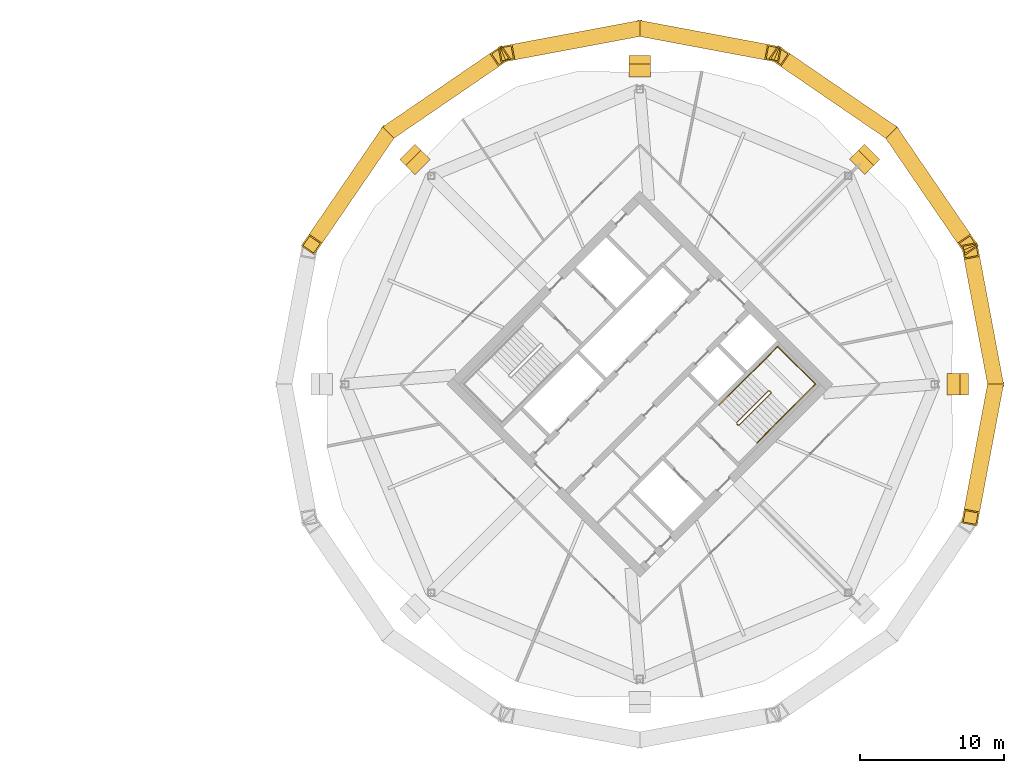
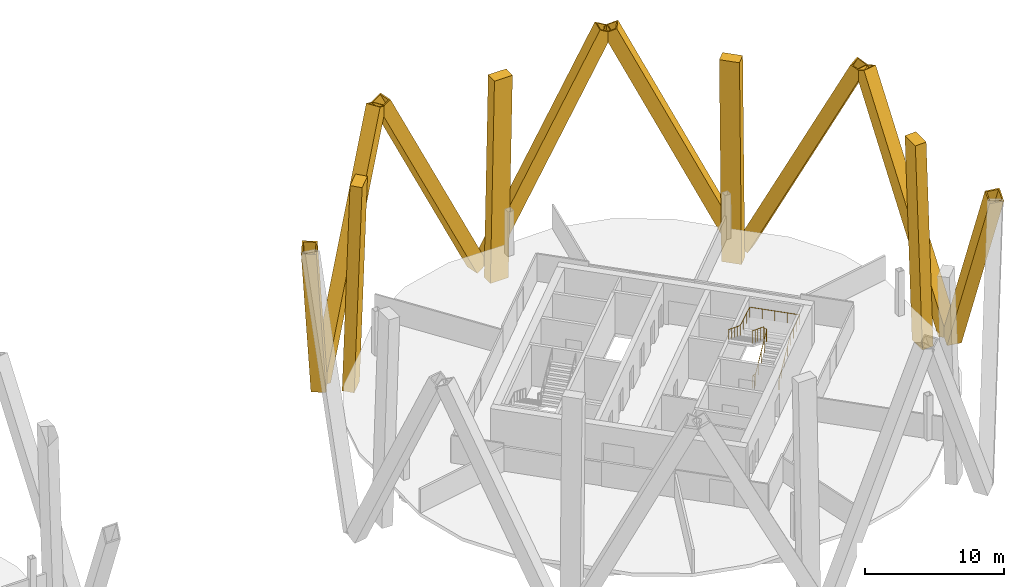
# One storey, part 10 of 10: 12 coverings, 2 railings.
"""IFC4 building model written with IfcOpenShell, lengths in metres."""

import ifcopenshell
import ifcopenshell.guid

model = None  # the IFC model being written
_history = None  # IfcOwnerHistory: only IFC2X3 demands one
_inside = {}  # id of a spatial element -> (the spatial element, [elements in it])
_under = {}  # id of a project, library or spatial element -> (it, [spatial elements below it])
_declared = {}  # id of a project -> (the project, [libraries it declares])
_typed = {}  # id of a type object -> (the type object, [elements of that type])
_made_of = {}  # id of a material, layer set ... -> (it, [elements and type objects made of it])


def new_model(schema):
    """Start an empty IFC model of exactly this schema.

    Asked for "IFC4X3", IfcOpenShell would pick the latest addendum, in which some entities
    have other attributes; the version numbers below select the first issue.
    IFC2X3 requires an IfcOwnerHistory on every rooted entity: one is made here for all.
    """
    global model, _history
    if schema == "IFC4X3":
        model = ifcopenshell.file(schema_version=(4, 3, 0, 0))
    else:
        model = ifcopenshell.file(schema=schema)
    _inside.clear()
    _under.clear()
    _declared.clear()
    _typed.clear()
    _made_of.clear()
    _history = None
    if model.schema == "IFC2X3":
        org = make("IfcOrganization", Name="unknown")
        user = make(
            "IfcPersonAndOrganization",
            ThePerson=make("IfcPerson", FamilyName="unknown"),
            TheOrganization=org,
        )
        app = make(
            "IfcApplication",
            ApplicationDeveloper=org,
            Version="unknown",
            ApplicationFullName="unknown",
            ApplicationIdentifier="unknown",
        )
        _history = make(
            "IfcOwnerHistory",
            OwningUser=user,
            OwningApplication=app,
            ChangeAction="ADDED",
            CreationDate=0,
        )
    return model


def make(cls, **values):
    """One entity of the class cls with the attributes given. An attribute that is None is left unset."""
    return model.create_entity(
        cls, **{name: value for name, value in values.items() if value is not None}
    )


def rooted(cls, **values):
    """An entity with a GlobalId (a new one), such as an element, a storey or a relation."""
    return make(cls, GlobalId=ifcopenshell.guid.new(), OwnerHistory=_history, **values)


def si_unit(unit_type, name, prefix=None):
    """IfcSIUnit, for example si_unit("LENGTHUNIT", "METRE", prefix="MILLI")."""
    return make("IfcSIUnit", UnitType=unit_type, Prefix=prefix, Name=name)


def assignment(units):
    """IfcUnitAssignment: the units of a project."""
    return None if units is None else make("IfcUnitAssignment", Units=units)


def point(xyz):
    """IfcCartesianPoint."""
    return None if xyz is None else make("IfcCartesianPoint", Coordinates=xyz)


def direction(xyz):
    """IfcDirection."""
    return None if xyz is None else make("IfcDirection", DirectionRatios=xyz)


def frame(location, z_axis=None, x_axis=None):
    """IfcAxis2Placement3D, a coordinate frame: its origin and axes. An axis left out is left unset."""
    return make(
        "IfcAxis2Placement3D",
        Location=point(location),
        Axis=direction(z_axis),
        RefDirection=direction(x_axis),
    )


def frame_2d(location, x_axis=None):
    """IfcAxis2Placement2D, a coordinate frame in the plane: its origin and x axis."""
    return make(
        "IfcAxis2Placement2D", Location=point(location), RefDirection=direction(x_axis)
    )


def origin():
    """The frame at (0, 0, 0) with its axes left unset."""
    return frame((0.0, 0.0, 0.0))


def origin_2d():
    """The frame at (0, 0) in the plane with its x axis left unset."""
    return frame_2d((0.0, 0.0))


def place(relative_to, where):
    """IfcLocalPlacement: puts the frame where relative to a parent placement (None: the world)."""
    return make(
        "IfcLocalPlacement", PlacementRelTo=relative_to, RelativePlacement=where
    )


def context(
    kind, dimensions, precision=None, world=None, true_north=None, identifier=None
):
    """IfcGeometricRepresentationContext, for example the 3D "Model" context."""
    return make(
        "IfcGeometricRepresentationContext",
        ContextIdentifier=identifier,
        ContextType=kind,
        CoordinateSpaceDimension=dimensions,
        Precision=precision,
        WorldCoordinateSystem=world,
        TrueNorth=true_north,
    )


def subcontext(parent, identifier, kind, view, scale=None):
    """IfcGeometricRepresentationSubContext, for example "Body" below "Model"."""
    return make(
        "IfcGeometricRepresentationSubContext",
        ContextIdentifier=identifier,
        ContextType=kind,
        ParentContext=parent,
        TargetScale=scale,
        TargetView=view,
    )


def project(units=None, contexts=None):
    """IfcProject with its units and contexts."""
    return rooted(
        "IfcProject",
        Name="project",
        RepresentationContexts=contexts,
        UnitsInContext=assignment(units),
    )


def spatial(cls, under=None, at=None, **own):
    """A site, building, storey or space (cls), placed at a placement, below another one or the project."""
    s = rooted(cls, ObjectPlacement=at, **own)
    if under is not None:
        _under.setdefault(under.id(), (under, []))[1].append(s)
    return s


def profile(cls, at=None, kind="AREA", **sizes):
    """A parametric profile (cls). Its sizes go by their IFC names, for example OverallWidth=200.0."""
    return make(cls, ProfileType=kind, Position=at, **sizes)


def rectangle(**sizes):
    """IfcRectangleProfileDef."""
    return profile("IfcRectangleProfileDef", **sizes)


def hollow_rectangle(**sizes):
    """IfcRectangleHollowProfileDef."""
    return profile("IfcRectangleHollowProfileDef", **sizes)


def circle(**sizes):
    """IfcCircleProfileDef."""
    return profile("IfcCircleProfileDef", **sizes)


def extrude(swept, where, along, depth):
    """IfcExtrudedAreaSolid: the profile swept, set in the frame where, extruded along a direction by depth."""
    return make(
        "IfcExtrudedAreaSolid",
        SweptArea=swept,
        Position=where,
        ExtrudedDirection=direction(along),
        Depth=depth,
    )


def shape(context_of_items, identifier, shape_type, items):
    """IfcShapeRepresentation: the items that make up one representation, for example the "Body"."""
    return make(
        "IfcShapeRepresentation",
        ContextOfItems=context_of_items,
        RepresentationIdentifier=identifier,
        RepresentationType=shape_type,
        Items=items,
    )


def material(Name=None, Category=None):
    """IfcMaterial."""
    return make("IfcMaterial", Name=Name, Category=Category)


def material_profile(
    of_material, cross_section, Name=None, Category=None, Priority=None
):
    """IfcMaterialProfile: a cross section and its material."""
    return make(
        "IfcMaterialProfile",
        Name=Name,
        Material=of_material,
        Profile=cross_section,
        Priority=Priority,
        Category=Category,
    )


def profile_set(profiles, Name=None, composite=None):
    """IfcMaterialProfileSet."""
    return make(
        "IfcMaterialProfileSet",
        Name=Name,
        MaterialProfiles=profiles,
        CompositeProfile=composite,
    )


def made_of(thing, what):
    """Note that an element or type object is made of a material, layer set ...; save() writes the relation."""
    if what is not None:
        _made_of.setdefault(what.id(), (what, []))[1].append(thing)
    return thing


def type_object(cls, material=None, **own):
    """A type object (cls), such as IfcWallType, which elements share."""
    return made_of(rooted(cls, **own), material)


def element(
    cls,
    number,
    at=None,
    inside=None,
    cuts=None,
    type_object=None,
    material=None,
    context=None,
    identifier="Body",
    shape_type=None,
    held_by="IfcProductDefinitionShape",
    body=None,
    shapes=None,
    **own,
):
    """One element of the class cls, such as IfcWall. Its Tag is "e" and its number.

    at: its placement. inside: the storey or other place that contains it. cuts: it is an
    opening in that element (IfcRelVoidsElement). A single representation is given by context,
    identifier, shape_type and body (its items); several are given by shapes. held_by: the class
    of the entity that holds the representations. save() writes the other relations.
    """
    e = rooted(cls, Tag="e%d" % number, ObjectPlacement=at, **own)
    if body is not None:
        shapes = [shape(context, identifier, shape_type, body)]
    if shapes is not None:
        e.Representation = make(held_by, Representations=shapes)
    if inside is not None:
        _inside.setdefault(inside.id(), (inside, []))[1].append(e)
    if cuts is not None:
        rooted(
            "IfcRelVoidsElement", RelatingBuildingElement=cuts, RelatedOpeningElement=e
        )
    if type_object is not None:
        _typed.setdefault(type_object.id(), (type_object, []))[1].append(e)
    return made_of(e, material)


def aggregate(whole, parts):
    """IfcRelAggregates: a whole, such as a stair, and the parts it consists of."""
    return rooted("IfcRelAggregates", RelatingObject=whole, RelatedObjects=parts)


def save(model, path):
    """Write the relations noted so far, then the file.

    IfcRelAggregates (storeys below a building ...), IfcRelContainedInSpatialStructure (elements
    in a storey), IfcRelDefinesByType, IfcRelAssociatesMaterial and IfcRelDeclares: one each for
    every whole, place, type object, material and project.
    """
    for whole, parts in _under.values():
        aggregate(whole, parts)
    for where, things in _inside.values():
        rooted(
            "IfcRelContainedInSpatialStructure",
            RelatedElements=things,
            RelatingStructure=where,
        )
    for kind, things in _typed.values():
        rooted("IfcRelDefinesByType", RelatedObjects=things, RelatingType=kind)
    for what, things in _made_of.values():
        rooted("IfcRelAssociatesMaterial", RelatedObjects=things, RelatingMaterial=what)
    for by, libraries in _declared.values():
        rooted("IfcRelDeclares", RelatingContext=by, RelatedDefinitions=libraries)
    model.write(path)


model = new_model("IFC4")

# Units and contexts
model_context = context("Model", 3, precision=1e-05, world=origin(), true_north=direction((0.0, 1.0)))
body_context = subcontext(model_context, "Body", "Model", "MODEL_VIEW")
ifc_project = project(units=[si_unit("LENGTHUNIT", "METRE"), si_unit("AREAUNIT", "SQUARE_METRE"), si_unit("VOLUMEUNIT", "CUBIC_METRE"), si_unit("PLANEANGLEUNIT", "RADIAN"), si_unit("MASSUNIT", "GRAM", prefix="KILO")], contexts=[model_context])

# Site, building, storey
site_placement = place(None, origin())
site = spatial("IfcSite", under=ifc_project, at=site_placement, CompositionType="ELEMENT")
building_placement = place(site_placement, origin())
building = spatial("IfcBuilding", under=site, at=building_placement, Name="Ogive Gate Towers", CompositionType="ELEMENT")
storey_placement = place(building_placement, frame((0.0, 0.0, 185.10009765625)))
storey = spatial("IfcBuildingStorey", under=building, at=storey_placement, Name="L44", CompositionType="ELEMENT", Elevation=185.10009765625)

# Coverings
ifc_material_1 = material(Name="Pale metal aluminium", Category="aluminium")
ifc_material_profile_1 = material_profile(ifc_material_1, rectangle(XDim=1.5, YDim=0.89990234375, at=origin_2d()), Name="1500 x 900 pale metal aluminium")
ifc_profile_set_1 = profile_set([ifc_material_profile_1], Name="Pale metal aluminium")
covering_type_1 = type_object("IfcCoveringType", Name="Crease colonnette 1500 x 900", PredefinedType="CLADDING", material=ifc_profile_set_1)
for number, where, z_axis, x_axis, name in (
    (1, (58.419921875, 0.0, -3.2001953125), (-0.032570586763, 0.0, 0.999469437691), (0.0, -1.0, 0.0), "Crease colonnette"),
    (2, (51.853271484375, 15.853271484375, -3.2001953125), (-0.023025900237, -0.023025900237, 0.999469667292), (0.707106781187, -0.707106781187, 0.0), "Crease colonnette"),
    (3, (36.0, 22.419921875, -3.2001953125), (0.0, -0.032570586763, 0.999469437691), (1.0, 0.0, 0.0), "Crease colonnette"),
    (4, (20.146728515625, 15.853271484375, -3.2001953125), (0.023025900237, -0.023025900237, 0.999469667292), (0.707106781187, 0.707106781187, 0.0), "Crease colonnette"),
):
    element("IfcCovering", number, at=place(storey_placement, frame(where, z_axis=z_axis, x_axis=x_axis)), inside=storey, type_object=covering_type_1, Name=name, PredefinedType="CLADDING", context=body_context, shape_type="SweptSolid", body=[
        extrude(rectangle(XDim=1.5, YDim=0.89990234375, at=origin_2d()), origin(), (0.0, 0.0, 1.0), 18.109619140625),
    ])
ifc_material_2 = material(Name="Pale metal aluminium cladding", Category="aluminium")
ifc_material_profile_2 = material_profile(ifc_material_2, hollow_rectangle(XDim=1.10009765625, YDim=1.10009765625, WallThickness=0.10009765625, at=origin_2d()), Name="1100 x 1100 pale metal casing")
ifc_profile_set_2 = profile_set([ifc_material_profile_2], Name="Pale metal aluminium cladding")
covering_type_2 = type_object("IfcCoveringType", Name="Diagrid casing 1100 x 1100", PredefinedType="CLADDING", material=ifc_profile_set_2)
for number, where, z_axis, x_axis, name in (
    (5, (60.715087890625, -0.240478515625, -3.407470703125), (-0.081904521526, -0.43713511972, 0.89565871651), (0.982895928341, -0.184161869155, 0.0), "Diagrid casing"),
    (6, (60.715087890625, 0.240478515625, -3.407470703125), (-0.081904521526, 0.43713511972, 0.89565871651), (-0.982895928341, -0.184161869155, 0.0), "Diagrid casing"),
    (7, (53.646240234375, 17.30615234375, -3.407470703125), (0.251181928644, -0.367017566981, 0.895659390756), (0.825239513669, 0.564782918545, 0.0), "Diagrid casing"),
    (8, (53.30615234375, 17.646240234375, -3.407470703125), (-0.367017566981, 0.251181928644, 0.895659390756), (-0.564782918545, -0.825239513669, 0.0), "Diagrid casing"),
    (9, (36.240478515625, 24.715087890625, -3.407470703125), (0.43713511972, -0.081904521526, 0.89565871651), (0.184161869155, 0.982895928341, 0.0), "Diagrid casing"),
    (10, (35.759521484375, 24.715087890625, -3.407470703125), (-0.43713511972, -0.081904521526, 0.89565871651), (0.184161869155, -0.982895928341, 0.0), "Diagrid casing"),
    (11, (18.69384765625, 17.646240234375, -3.407470703125), (0.367017566981, 0.251181928644, 0.895659390756), (-0.564782918545, 0.825239513669, 0.0), "Diagrid casing"),
    (12, (18.353759765625, 17.30615234375, -3.407470703125), (-0.251181928644, -0.367017566981, 0.895659390756), (0.825239513669, -0.564782918545, 0.0), "Diagrid casing"),
):
    element("IfcCovering", number, at=place(storey_placement, frame(where, z_axis=z_axis, x_axis=x_axis)), inside=storey, type_object=covering_type_2, Name=name, PredefinedType="CLADDING", context=body_context, shape_type="SweptSolid", body=[
        extrude(hollow_rectangle(XDim=1.10009765625, YDim=1.10009765625, WallThickness=0.10009765625, at=origin_2d()), origin(), (0.0, 0.0, 1.0), 20.671875),
    ])

# Railings
ifc_material_3 = material(Name="Stainless steel", Category="steel")
railing_type_1 = type_object("IfcRailingType", Name="Stair guard 1100", PredefinedType="GUARDRAIL", material=ifc_material_3)
railing_1_placement = place(storey_placement, frame((42.84130859375, -2.8603515625, 0.0)))
element("IfcRailing", 13, at=railing_1_placement, inside=storey, type_object=railing_type_1, Name="L44 ST2 stair guard 1", PredefinedType="GUARDRAIL", context=body_context, shape_type="SweptSolid", body=[
    extrude(circle(Radius=0.02392578125, at=origin_2d()), frame((0.0, 0.0, 1.076171875), z_axis=(-0.707106781187, 0.707106781187, 0.0), x_axis=(-0.707106781187, -0.707106781187, 0.0)), (0.0, 0.0, 1.0), 0.14501953125),
    extrude(circle(Radius=0.02392578125, at=origin_2d()), frame((-0.1025390625, 0.1025390625, 1.076171875), z_axis=(0.645571447971, -0.382425963537, 0.661050594114), x_axis=(0.509669330572, 0.860370369942, 0.0)), (0.0, 0.0, 1.0), 0.26806640625),
    extrude(circle(Radius=0.02392578125, at=origin_2d()), frame((0.070556640625, 0.0, 1.25341796875), z_axis=(0.61558473135, 0.61558473135, 0.49204763698), x_axis=(-0.707106781187, 0.707106781187, 0.0)), (0.0, 0.0, 1.0), 3.602783203125),
    extrude(circle(Radius=0.02392578125, at=origin_2d()), frame((2.288330078125, 2.2177734375, 3.02587890625), z_axis=(0.0, 1.0, 0.0), x_axis=(-1.0, 0.0, 0.0)), (0.0, 0.0, 1.0), 0.07080078125),
    extrude(circle(Radius=0.02392578125, at=origin_2d()), frame((2.288330078125, 2.28857421875, 3.02587890625), z_axis=(-0.707106781187, 0.707106781187, 0.0), x_axis=(-0.707106781187, -0.707106781187, 0.0)), (0.0, 0.0, 1.0), 0.14501953125),
    extrude(circle(Radius=0.02392578125, at=origin_2d()), frame((2.185791015625, 2.39111328125, 3.02587890625), z_axis=(-0.369845645421, 0.0, 0.929093213065), x_axis=(0.0, -1.0, 0.0)), (0.0, 0.0, 1.0), 0.190673828125),
    extrude(circle(Radius=0.02392578125, at=origin_2d()), frame((2.115234375, 2.39111328125, 3.203125), z_axis=(-0.61558473135, -0.61558473135, 0.49204763698), x_axis=(0.707106781187, -0.707106781187, 0.0)), (0.0, 0.0, 1.0), 3.602783203125),
    extrude(circle(Radius=0.02099609375, at=origin_2d()), origin(), (0.0, 0.0, 1.0), 1.052001953125),
    extrude(circle(Radius=0.02099609375, at=origin_2d()), frame((-0.1025390625, 0.1025390625, 0.0)), (0.0, 0.0, 1.0), 1.052001953125),
    extrude(circle(Radius=0.02099609375, at=origin_2d()), frame((0.070556640625, 0.0, 0.17724609375)), (0.0, 0.0, 1.0), 1.052001953125),
    extrude(circle(Radius=0.02099609375, at=origin_2d()), frame((0.625, 0.554443359375, 0.620361328125)), (0.0, 0.0, 1.0), 1.052001953125),
    extrude(circle(Radius=0.02099609375, at=origin_2d()), frame((1.179443359375, 1.10888671875, 1.0634765625)), (0.0, 0.0, 1.0), 1.052001953125),
    extrude(circle(Radius=0.02099609375, at=origin_2d()), frame((1.73388671875, 1.663330078125, 1.5068359375)), (0.0, 0.0, 1.0), 1.052001953125),
    extrude(circle(Radius=0.02099609375, at=origin_2d()), frame((2.288330078125, 2.2177734375, 1.949951171875)), (0.0, 0.0, 1.0), 1.052001953125),
    extrude(circle(Radius=0.02099609375, at=origin_2d()), frame((2.288330078125, 2.28857421875, 1.949951171875)), (0.0, 0.0, 1.0), 1.052001953125),
    extrude(circle(Radius=0.02099609375, at=origin_2d()), frame((2.185791015625, 2.39111328125, 1.949951171875)), (0.0, 0.0, 1.0), 1.052001953125),
    extrude(circle(Radius=0.02099609375, at=origin_2d()), frame((2.115234375, 2.39111328125, 2.127197265625)), (0.0, 0.0, 1.0), 1.052001953125),
    extrude(circle(Radius=0.02099609375, at=origin_2d()), frame((1.560791015625, 1.836669921875, 2.5703125)), (0.0, 0.0, 1.0), 1.052001953125),
    extrude(circle(Radius=0.02099609375, at=origin_2d()), frame((1.00634765625, 1.2822265625, 3.013671875)), (0.0, 0.0, 1.0), 1.052001953125),
    extrude(circle(Radius=0.02099609375, at=origin_2d()), frame((0.451904296875, 0.727783203125, 3.456787109375)), (0.0, 0.0, 1.0), 1.052001953125),
    extrude(circle(Radius=0.02099609375, at=origin_2d()), frame((-0.1025390625, 0.17333984375, 3.89990234375)), (0.0, 0.0, 1.0), 1.052001953125),
])
railing_type_2 = type_object("IfcRailingType", Name="Stair handrail 900", PredefinedType="HANDRAIL", material=ifc_material_3)
railing_2_placement = place(storey_placement, frame((44.142333984375, -4.090576171875, 0.17724609375)))
element("IfcRailing", 14, at=railing_2_placement, inside=storey, type_object=railing_type_2, Name="L44 ST2 stair handrail 1", PredefinedType="HANDRAIL", context=body_context, shape_type="SweptSolid", body=[
    extrude(circle(Radius=0.02392578125, at=origin_2d()), frame((0.0, 0.0, 0.8759765625), z_axis=(0.61558473135, 0.61558473135, 0.49204763698), x_axis=(-0.707106781187, 0.707106781187, 0.0)), (0.0, 0.0, 1.0), 3.602783203125),
    extrude(circle(Radius=0.02392578125, at=origin_2d()), frame((2.2177734375, 2.2177734375, 2.6484375), z_axis=(0.707106781187, 0.707106781187, 0.0), x_axis=(-0.707106781187, 0.707106781187, 0.0)), (0.0, 0.0, 1.0), 2.6484375),
    extrude(circle(Radius=0.02392578125, at=origin_2d()), frame((4.090576171875, 4.090576171875, 2.6484375), z_axis=(-0.707106781187, 0.707106781187, 0.0), x_axis=(-0.707106781187, -0.707106781187, 0.0)), (0.0, 0.0, 1.0), 3.72509765625),
    extrude(circle(Radius=0.02392578125, at=origin_2d()), frame((1.45654296875, 6.724609375, 2.6484375), z_axis=(-0.705482886452, -0.705574853978, 0.066768423356), x_axis=(0.70715286629, -0.70706069308, 0.0)), (0.0, 0.0, 1.0), 2.654541015625),
    extrude(circle(Radius=0.02392578125, at=origin_2d()), frame((-0.416259765625, 4.8515625, 2.82568359375), z_axis=(-0.615610411033, -0.615542642384, 0.4920681632), x_axis=(0.70706785752, -0.70714570271, 0.0)), (0.0, 0.0, 1.0), 3.6025390625),
    extrude(circle(Radius=0.02099609375, at=origin_2d()), origin(), (0.0, 0.0, 1.0), 0.851806640625),
    extrude(circle(Radius=0.02099609375, at=origin_2d()), frame((0.554443359375, 0.554443359375, 0.443115234375)), (0.0, 0.0, 1.0), 0.851806640625),
    extrude(circle(Radius=0.02099609375, at=origin_2d()), frame((1.10888671875, 1.10888671875, 0.88623046875)), (0.0, 0.0, 1.0), 0.851806640625),
    extrude(circle(Radius=0.02099609375, at=origin_2d()), frame((1.663330078125, 1.663330078125, 1.32958984375)), (0.0, 0.0, 1.0), 0.851806640625),
    extrude(circle(Radius=0.02099609375, at=origin_2d()), frame((2.2177734375, 2.2177734375, 1.772705078125)), (0.0, 0.0, 1.0), 0.851806640625),
    extrude(circle(Radius=0.02099609375, at=origin_2d()), frame((2.842041015625, 2.842041015625, 1.772705078125)), (0.0, 0.0, 1.0), 0.851806640625),
    extrude(circle(Radius=0.02099609375, at=origin_2d()), frame((3.46630859375, 3.46630859375, 1.772705078125)), (0.0, 0.0, 1.0), 0.851806640625),
    extrude(circle(Radius=0.02099609375, at=origin_2d()), frame((4.090576171875, 4.090576171875, 1.772705078125)), (0.0, 0.0, 1.0), 0.851806640625),
    extrude(circle(Radius=0.02099609375, at=origin_2d()), frame((3.43212890625, 4.7490234375, 1.772705078125)), (0.0, 0.0, 1.0), 0.851806640625),
    extrude(circle(Radius=0.02099609375, at=origin_2d()), frame((2.7734375, 5.40771484375, 1.772705078125)), (0.0, 0.0, 1.0), 0.851806640625),
    extrude(circle(Radius=0.02099609375, at=origin_2d()), frame((2.114990234375, 6.066162109375, 1.772705078125)), (0.0, 0.0, 1.0), 0.851806640625),
    extrude(circle(Radius=0.02099609375, at=origin_2d()), frame((1.45654296875, 6.724609375, 1.772705078125)), (0.0, 0.0, 1.0), 0.851806640625),
    extrude(circle(Radius=0.02099609375, at=origin_2d()), frame((0.832275390625, 6.100341796875, 1.831787109375)), (0.0, 0.0, 1.0), 0.851806640625),
    extrude(circle(Radius=0.02099609375, at=origin_2d()), frame((0.2080078125, 5.475830078125, 1.890869140625)), (0.0, 0.0, 1.0), 0.851806640625),
    extrude(circle(Radius=0.02099609375, at=origin_2d()), frame((-0.416259765625, 4.8515625, 1.949951171875)), (0.0, 0.0, 1.0), 0.851806640625),
    extrude(circle(Radius=0.02099609375, at=origin_2d()), frame((-0.970703125, 4.297119140625, 2.39306640625)), (0.0, 0.0, 1.0), 0.851806640625),
    extrude(circle(Radius=0.02099609375, at=origin_2d()), frame((-1.525146484375, 3.74267578125, 2.83642578125)), (0.0, 0.0, 1.0), 0.851806640625),
    extrude(circle(Radius=0.02099609375, at=origin_2d()), frame((-2.07958984375, 3.1884765625, 3.279541015625)), (0.0, 0.0, 1.0), 0.851806640625),
    extrude(circle(Radius=0.02099609375, at=origin_2d()), frame((-2.634033203125, 2.634033203125, 3.72265625)), (0.0, 0.0, 1.0), 0.851806640625),
])

save(model, "model.ifc")
